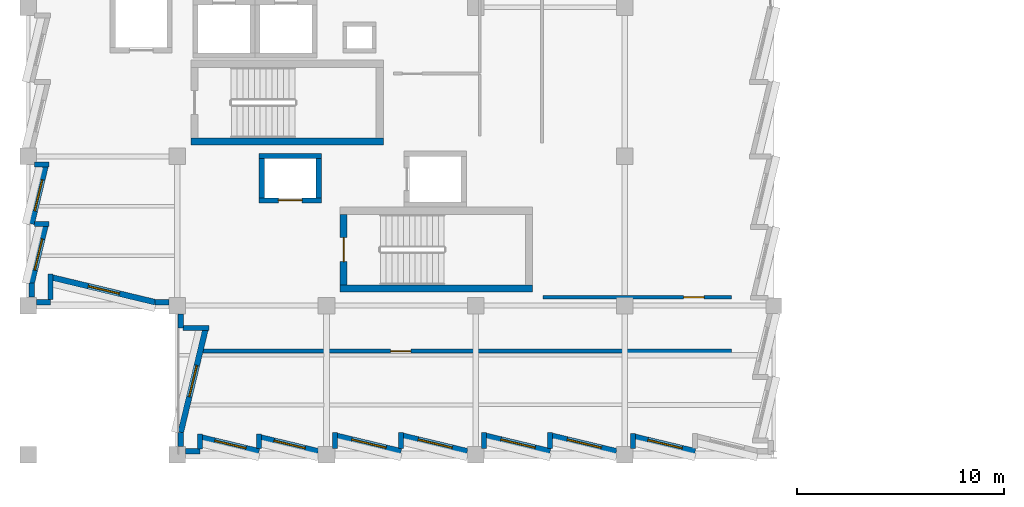
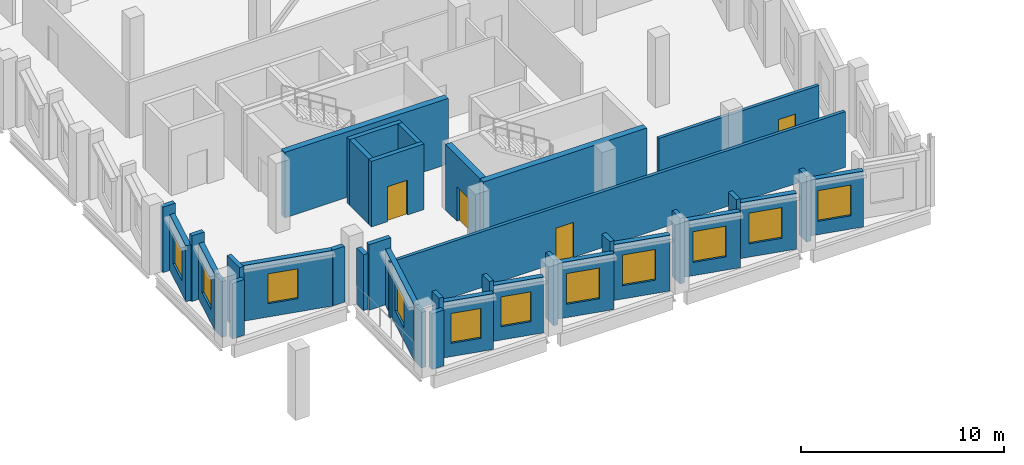
# One storey, part 66 of 94: 37 walls, 11 windows, 4 doors, 15 openings.
"""IFC4 building model written with IfcOpenShell, lengths in metres."""

from ifc_helpers import new_model, si_unit, direction, frame, frame_2d, origin, place, context, subcontext, project, spatial, rectangle, extrude, material, layer, layer_set, type_object, element, fill, save


model = new_model("IFC4")

# Units and contexts
model_context = context("Model", 3, precision=1e-05, world=origin(), true_north=direction((0.0, 1.0)))
body_context = subcontext(model_context, "Body", "Model", "MODEL_VIEW")
ifc_project = project(units=[si_unit("LENGTHUNIT", "METRE"), si_unit("AREAUNIT", "SQUARE_METRE"), si_unit("VOLUMEUNIT", "CUBIC_METRE"), si_unit("PLANEANGLEUNIT", "RADIAN"), si_unit("MASSUNIT", "GRAM", prefix="KILO")], contexts=[model_context])

# Site, building, storey
site_placement = place(None, origin())
site = spatial("IfcSite", under=ifc_project, at=site_placement, CompositionType="ELEMENT")
building_placement = place(site_placement, origin())
building = spatial("IfcBuilding", under=site, at=building_placement, Name="Kalmorath City Hall", CompositionType="ELEMENT")
storey_placement = place(building_placement, frame((0.0, 0.0, 14.699951171875)))
storey = spatial("IfcBuildingStorey", under=building, at=storey_placement, Name="L03", CompositionType="ELEMENT", Elevation=14.699951171875)

# Walls
ifc_material_1 = material(Name="Concrete C50/60", Category="concrete")
ifc_layer_1 = layer(ifc_material_1, 0.35009765625)
ifc_layer_set_1 = layer_set([ifc_layer_1], Name="Concrete C50/60")
wall_type_1 = type_object("IfcWallType", Name="Concrete core shear wall 350", PredefinedType="SHEAR", material=ifc_layer_set_1)
wall_1_placement = place(storey_placement, frame((7.85009765625, 15.125, 0.0), z_axis=(0.0, 0.0, 1.0), x_axis=(1.0, 0.0, 0.0)))
element("IfcWall", 1, at=wall_1_placement, inside=storey, type_object=wall_type_1, Name="L03 C1 stair core shear wall S", PredefinedType="SHEAR", context=body_context, shape_type="SweptSolid", body=[
    extrude(rectangle(XDim=9.2998046875, YDim=0.35009765625, at=frame_2d((4.64990234375, 0.0))), origin(), (0.0, 0.0, 1.0), 3.949951171875),
])
wall_2_placement = place(storey_placement, frame((15.050048828125, 8.02490234375, 0.0), z_axis=(0.0, 0.0, 1.0), x_axis=(1.0, 0.0, 0.0)))
element("IfcWall", 2, at=wall_2_placement, inside=storey, type_object=wall_type_1, Name="L03 C2 stair core shear wall S", PredefinedType="SHEAR", context=body_context, shape_type="SweptSolid", body=[
    extrude(rectangle(XDim=9.300048828125, YDim=0.35009765625, at=frame_2d((4.64990234375, 0.0))), origin(), (0.0, 0.0, 1.0), 3.949951171875),
])

# Wall, opening, door
wall_3_placement = place(storey_placement, frame((15.22509765625, 11.60009765625, 0.0), z_axis=(0.0, 0.0, 1.0), x_axis=(0.0, -1.0, 0.0)))
wall_3 = element("IfcWall", 3, at=wall_3_placement, inside=storey, type_object=wall_type_1, Name="L03 C2 stair core shear wall W", PredefinedType="SHEAR", context=body_context, shape_type="SweptSolid", body=[
    extrude(rectangle(XDim=3.400146484375, YDim=0.35009765625, at=frame_2d((1.7001953125, 0.0))), origin(), (0.0, 0.0, 1.0), 3.949951171875),
])
opening_1_placement = place(wall_3_placement, frame((1.125, 0.0, 0.0)))
opening_1 = element("IfcOpeningElement", 4, at=opening_1_placement, cuts=wall_3, Name="Opening D-L03-041", PredefinedType="OPENING", context=body_context, shape_type="SweptSolid", body=[
    extrude(rectangle(XDim=1.14990234375, YDim=2.10009765625, at=frame_2d((0.574951171875, 1.050048828125))), frame((0.0, 0.18505859375, 0.0), z_axis=(0.0, -1.0, 0.0), x_axis=(1.0, 0.0, 0.0)), (0.0, 0.0, 1.0), 0.3701171875),
])
ifc_material_2 = material(Name="Galvanised steel fire door", Category="steel")
door_type_1 = type_object("IfcDoorType", Name="Stair enclosure 90-min fire door 1150x2100", OperationType="NOTDEFINED", PredefinedType="DOOR", material=ifc_material_2)
door_1_placement = place(opening_1_placement, frame((1.14990234375, 0.0, 0.0), z_axis=(0.0, 0.0, 1.0), x_axis=(-1.0, 0.0, 0.0)))
door_1 = element("IfcDoor", 5, at=door_1_placement, inside=storey, type_object=door_type_1, Name="L03 door D-L03-041", OperationType="SINGLE_SWING_LEFT", OverallHeight=2.10009765625, OverallWidth=1.14990234375, PredefinedType="DOOR", context=body_context, shape_type="SweptSolid", body=[
    extrude(rectangle(XDim=1.14990234375, YDim=2.10009765625, at=frame_2d((0.574951171875, 1.050048828125))), frame((0.0, 0.02490234375, 0.0), z_axis=(0.0, -1.0, 0.0), x_axis=(1.0, 0.0, 0.0)), (0.0, 0.0, 1.0), 0.050048828125),
])
fill(opening_1, door_1)

ifc_material_3 = material(Name="Concrete C50/60", Category="concrete")
ifc_layer_2 = layer(ifc_material_3, 0.25)
ifc_layer_set_2 = layer_set([ifc_layer_2], Name="Concrete C50/60")
wall_type_2 = type_object("IfcWallType", Name="Concrete lift shaft wall 250", PredefinedType="SHEAR", material=ifc_layer_set_2)
wall_4_placement = place(storey_placement, frame((11.14990234375, 12.27490234375, 0.0), z_axis=(0.0, 0.0, 1.0), x_axis=(1.0, 0.0, 0.0)))
wall_4 = element("IfcWall", 6, at=wall_4_placement, inside=storey, type_object=wall_type_2, Name="L03 FL2 lift shaft wall -y", PredefinedType="SHEAR", context=body_context, shape_type="SweptSolid", body=[
    extrude(rectangle(XDim=3.0, YDim=0.25, at=frame_2d((1.5, 0.0))), origin(), (0.0, 0.0, 1.0), 3.949951171875),
])
opening_2_placement = place(wall_4_placement, frame((0.925048828125, 0.0, 0.0)))
opening_2 = element("IfcOpeningElement", 7, at=opening_2_placement, cuts=wall_4, Name="Opening LD-050", PredefinedType="OPENING", context=body_context, shape_type="SweptSolid", body=[
    extrude(rectangle(XDim=1.14990234375, YDim=2.10009765625, at=frame_2d((0.574951171875, 1.050048828125))), frame((0.0, 0.135009765625, 0.0), z_axis=(0.0, -1.0, 0.0), x_axis=(1.0, 0.0, 0.0)), (0.0, 0.0, 1.0), 0.27001953125),
])
ifc_material_4 = material(Name="Stainless steel sliding landing door", Category="steel")
door_type_2 = type_object("IfcDoorType", Name="Firefighting lift sliding landing door 1150x2100", OperationType="SLIDING_TO_RIGHT", PredefinedType="DOOR", material=ifc_material_4)
door_2_placement = place(opening_2_placement, origin())
door_2 = element("IfcDoor", 8, at=door_2_placement, inside=storey, type_object=door_type_2, Name="L03 door LD-050", OperationType="SLIDING_TO_RIGHT", OverallHeight=2.10009765625, OverallWidth=1.14990234375, PredefinedType="DOOR", context=body_context, shape_type="SweptSolid", body=[
    extrude(rectangle(XDim=1.14990234375, YDim=2.10009765625, at=frame_2d((0.574951171875, 1.050048828125))), frame((0.0, 0.02490234375, 0.0), z_axis=(0.0, -1.0, 0.0), x_axis=(1.0, 0.0, 0.0)), (0.0, 0.0, 1.0), 0.050048828125),
])
fill(opening_2, door_2)

# Walls
wall_5_placement = place(storey_placement, frame((14.14990234375, 14.425048828125, 0.0), z_axis=(0.0, 0.0, 1.0), x_axis=(-1.0, 0.0, 0.0)))
element("IfcWall", 9, at=wall_5_placement, inside=storey, type_object=wall_type_2, Name="L03 FL2 lift shaft wall +y", PredefinedType="SHEAR", context=body_context, shape_type="SweptSolid", body=[
    extrude(rectangle(XDim=3.0, YDim=0.25, at=frame_2d((1.5, 0.0))), origin(), (0.0, 0.0, 1.0), 3.949951171875),
])
for number, where, z_axis, x_axis, name in (
    (10, (11.27490234375, 14.300048828125, 0.0), (0.0, 0.0, 1.0), (0.0, -1.0, 0.0), "L03 FL2 lift shaft wall -x"),
    (11, (14.02490234375, 12.39990234375, 0.0), (0.0, 0.0, 1.0), (0.0, 1.0, 0.0), "L03 FL2 lift shaft wall +x"),
):
    element("IfcWall", number, at=place(storey_placement, frame(where, z_axis=z_axis, x_axis=x_axis)), inside=storey, type_object=wall_type_2, Name=name, PredefinedType="SHEAR", context=body_context, shape_type="SweptSolid", body=[
        extrude(rectangle(XDim=1.900146484375, YDim=0.25, at=frame_2d((0.9501953125, 0.0))), origin(), (0.0, 0.0, 1.0), 3.949951171875),
    ])

# Wall, opening, door
ifc_material_5 = material(Name="Fire-rated acoustic gypsum partition")
ifc_layer_3 = layer(ifc_material_5, 0.179931640625)
ifc_layer_set_3 = layer_set([ifc_layer_3], Name="Fire-rated acoustic gypsum partition")
wall_type_3 = type_object("IfcWallType", Name="One-hour corridor fire partition 180", PredefinedType="PARTITIONING", material=ifc_layer_set_3)
wall_6_placement = place(storey_placement, frame((8.0400390625, 5.0, 0.0), z_axis=(0.0, 0.0, 1.0), x_axis=(1.0, 0.0, 0.0)))
wall_6 = element("IfcWall", 12, at=wall_6_placement, inside=storey, type_object=wall_type_3, Name="L03 interior partition PW2 #137", PredefinedType="PARTITIONING", context=body_context, shape_type="SweptSolid", body=[
    extrude(rectangle(XDim=25.919921875, YDim=0.179931640625, at=frame_2d((12.9599609375, 0.0))), origin(), (0.0, 0.0, 1.0), 3.35205078125),
])
opening_3_placement = place(wall_6_placement, frame((9.45751953125, 0.0, 0.0)))
opening_3 = element("IfcOpeningElement", 13, at=opening_3_placement, cuts=wall_6, Name="Opening D-L03-219", PredefinedType="OPENING", context=body_context, shape_type="SweptSolid", body=[
    extrude(rectangle(XDim=0.97998046875, YDim=2.10009765625, at=frame_2d((0.489990234375, 1.050048828125))), frame((0.0, 0.099853515625, 0.0), z_axis=(0.0, -1.0, 0.0), x_axis=(1.0, 0.0, 0.0)), (0.0, 0.0, 1.0), 0.199951171875),
])
ifc_material_6 = material(Name="Hardwood veneer door", Category="wood")
door_type_3 = type_object("IfcDoorType", Name="Municipal suite single door 980x2100", OperationType="NOTDEFINED", PredefinedType="DOOR", material=ifc_material_6)
door_3_placement = place(opening_3_placement, origin())
door_3 = element("IfcDoor", 14, at=door_3_placement, inside=storey, type_object=door_type_3, Name="L03 door D-L03-219", OperationType="SINGLE_SWING_LEFT", OverallHeight=2.10009765625, OverallWidth=0.97998046875, PredefinedType="DOOR", context=body_context, shape_type="SweptSolid", body=[
    extrude(rectangle(XDim=0.97998046875, YDim=2.10009765625, at=frame_2d((0.489990234375, 1.050048828125))), frame((0.0, 0.02490234375, 0.0), z_axis=(0.0, -1.0, 0.0), x_axis=(1.0, 0.0, 0.0)), (0.0, 0.0, 1.0), 0.050048828125),
])
fill(opening_3, door_3)

wall_7_placement = place(storey_placement, frame((24.840087890625, 7.60009765625, 0.0), z_axis=(0.0, 0.0, 1.0), x_axis=(1.0, 0.0, 0.0)))
wall_7 = element("IfcWall", 15, at=wall_7_placement, inside=storey, type_object=wall_type_3, Name="L03 interior partition PW2 #138", PredefinedType="PARTITIONING", context=body_context, shape_type="SweptSolid", body=[
    extrude(rectangle(XDim=9.119873046875, YDim=0.179931640625, at=frame_2d((4.56005859375, 0.0))), origin(), (0.0, 0.0, 1.0), 3.35205078125),
])
opening_4_placement = place(wall_7_placement, frame((6.8076171875, 0.0, 0.0)))
opening_4 = element("IfcOpeningElement", 16, at=opening_4_placement, cuts=wall_7, Name="Opening D-L03-220", PredefinedType="OPENING", context=body_context, shape_type="SweptSolid", body=[
    extrude(rectangle(XDim=0.97998046875, YDim=2.10009765625, at=frame_2d((0.489990234375, 1.050048828125))), frame((0.0, 0.099853515625, 0.0), z_axis=(0.0, -1.0, 0.0), x_axis=(1.0, 0.0, 0.0)), (0.0, 0.0, 1.0), 0.199951171875),
])
door_4_placement = place(opening_4_placement, origin())
door_4 = element("IfcDoor", 17, at=door_4_placement, inside=storey, type_object=door_type_3, Name="L03 door D-L03-220", OperationType="SINGLE_SWING_RIGHT", OverallHeight=2.10009765625, OverallWidth=0.97998046875, PredefinedType="DOOR", context=body_context, shape_type="SweptSolid", body=[
    extrude(rectangle(XDim=0.97998046875, YDim=2.10009765625, at=frame_2d((0.489990234375, 1.050048828125))), frame((0.0, 0.02490234375, 0.0), z_axis=(0.0, -1.0, 0.0), x_axis=(1.0, 0.0, 0.0)), (0.0, 0.0, 1.0), 0.050048828125),
])
fill(opening_4, door_4)

# Walls
ifc_material_7 = material(Name="Precast concrete C40/50", Category="concrete")
ifc_layer_4 = layer(ifc_material_7, 0.239990234375)
ifc_layer_set_4 = layer_set([ifc_layer_4], Name="Precast concrete C40/50")
wall_type_4 = type_object("IfcWallType", Name="Precast sawtooth cheek wall 240", PredefinedType="SOLIDWALL", material=ifc_layer_set_4)
for number, where, z_axis, x_axis, name in (
    (18, (0.991455078125, 11.139892578125, 0.0), (0.0, 0.0, 1.0), (-1.0, 0.0, 0.0), "L03 sawtooth return cheek #533"),
    (19, (0.991455078125, 13.9990234375, 0.0), (0.0, 0.0, 1.0), (-1.0, 0.0, 0.0), "L03 sawtooth return cheek #535"),
):
    element("IfcWall", number, at=place(storey_placement, frame(where, z_axis=z_axis, x_axis=x_axis)), inside=storey, type_object=wall_type_4, Name=name, PredefinedType="SOLIDWALL", context=body_context, shape_type="SweptSolid", body=[
        extrude(rectangle(XDim=0.699462890625, YDim=0.239990234375, at=frame_2d((0.349609375, 0.0))), origin(), (0.0, 0.0, 1.0), 3.949951171875),
    ])
wall_8_placement = place(storey_placement, frame((29.200927734375, 1.024169921875, 0.0), z_axis=(0.0, 0.0, 1.0), x_axis=(0.0, -1.0, 0.0)))
element("IfcWall", 20, at=wall_8_placement, inside=storey, type_object=wall_type_4, Name="L03 sawtooth return cheek #672", PredefinedType="SOLIDWALL", context=body_context, shape_type="SweptSolid", body=[
    extrude(rectangle(XDim=0.732177734375, YDim=0.239990234375, at=frame_2d((0.3662109375, 0.0))), origin(), (0.0, 0.0, 1.0), 3.949951171875),
])
for number, where, z_axis, x_axis, name in (
    (21, (25.199951171875, 1.072998046875, 0.0), (0.0, 0.0, 1.0), (0.0, -1.0, 0.0), "L03 sawtooth return cheek #674"),
    (22, (22.0009765625, 1.072998046875, 0.0), (0.0, 0.0, 1.0), (0.0, -1.0, 0.0), "L03 sawtooth return cheek #676"),
    (23, (18.0, 1.072998046875, 0.0), (0.0, 0.0, 1.0), (0.0, -1.0, 0.0), "L03 sawtooth return cheek #678"),
    (24, (14.801025390625, 1.072998046875, 0.0), (0.0, 0.0, 1.0), (0.0, -1.0, 0.0), "L03 sawtooth return cheek #680"),
):
    element("IfcWall", number, at=place(storey_placement, frame(where, z_axis=z_axis, x_axis=x_axis)), inside=storey, type_object=wall_type_4, Name=name, PredefinedType="SOLIDWALL", context=body_context, shape_type="SweptSolid", body=[
        extrude(rectangle(XDim=0.781005859375, YDim=0.239990234375, at=frame_2d((0.390625, 0.0))), origin(), (0.0, 0.0, 1.0), 3.949951171875),
    ])
wall_9_placement = place(storey_placement, frame((11.139892578125, 0.991455078125, 0.0), z_axis=(0.0, 0.0, 1.0), x_axis=(0.0, -1.0, 0.0)))
element("IfcWall", 25, at=wall_9_placement, inside=storey, type_object=wall_type_4, Name="L03 sawtooth return cheek #683", PredefinedType="SOLIDWALL", context=body_context, shape_type="SweptSolid", body=[
    extrude(rectangle(XDim=0.699462890625, YDim=0.239990234375, at=frame_2d((0.349609375, 0.0))), origin(), (0.0, 0.0, 1.0), 3.949951171875),
])
wall_10_placement = place(storey_placement, frame((8.281005859375, 0.991455078125, 0.0), z_axis=(0.0, 0.0, 1.0), x_axis=(0.0, -1.0, 0.0)))
element("IfcWall", 26, at=wall_10_placement, inside=storey, type_object=wall_type_4, Name="L03 sawtooth return cheek #685", PredefinedType="SOLIDWALL", context=body_context, shape_type="SweptSolid", body=[
    extrude(rectangle(XDim=0.70947265625, YDim=0.239990234375, at=frame_2d((0.354736328125, 0.0))), origin(), (0.0, 0.0, 1.0), 3.949951171875),
])
for number, where, z_axis, x_axis, name in (
    (27, (8.714599609375, 6.118896484375, 0.0), (0.0, 0.0, 1.0), (-1.0, 0.0, 0.0), "L03 sawtooth return cheek #689"),
    (28, (1.0810546875, 8.714599609375, 0.0), (0.0, 0.0, 1.0), (0.0, -1.0, 0.0), "L03 sawtooth return cheek #693"),
):
    element("IfcWall", number, at=place(storey_placement, frame(where, z_axis=z_axis, x_axis=x_axis)), inside=storey, type_object=wall_type_4, Name=name, PredefinedType="SOLIDWALL", context=body_context, shape_type="SweptSolid", body=[
        extrude(rectangle(XDim=1.232666015625, YDim=0.239990234375, at=frame_2d((0.6162109375, 0.0))), origin(), (0.0, 0.0, 1.0), 3.949951171875),
    ])

# Wall, opening, window
ifc_material_8 = material(Name="Precast concrete C40/50", Category="concrete")
ifc_layer_5 = layer(ifc_material_8, 0.280029296875)
ifc_layer_set_5 = layer_set([ifc_layer_5], Name="Precast concrete C40/50")
wall_type_5 = type_object("IfcWallType", Name="Precast sawtooth facade wall 280", PredefinedType="SOLIDWALL", material=ifc_layer_set_5)
wall_11_placement = place(storey_placement, frame((0.159912109375, 8.281005859375, 0.0), z_axis=(0.0, 0.0, 1.0), x_axis=(0.233480047176, 0.972361593015, 0.0)))
wall_11 = element("IfcWall", 29, at=wall_11_placement, inside=storey, type_object=wall_type_5, Name="L03 sawtooth precast frame #532", PredefinedType="SOLIDWALL", context=body_context, shape_type="SweptSolid", body=[
    extrude(rectangle(XDim=2.84521484375, YDim=0.280029296875, at=frame_2d((1.422607421875, 0.0))), origin(), (0.0, 0.0, 1.0), 3.365966796875),
])
opening_5_placement = place(wall_11_placement, frame((0.647705078125, 0.0, 0.800048828125)))
opening_5 = element("IfcOpeningElement", 30, at=opening_5_placement, cuts=wall_11, Name="Opening WN5", PredefinedType="OPENING", context=body_context, shape_type="SweptSolid", body=[
    extrude(rectangle(XDim=1.550048828125, YDim=1.800048828125, at=frame_2d((0.77490234375, 0.89990234375))), frame((0.0, 0.14990234375, 0.0), z_axis=(0.0, -1.0, 0.0), x_axis=(1.0, 0.0, 0.0)), (0.0, 0.0, 1.0), 0.300048828125),
])
ifc_material_9 = material(Name="Aluminium and laminated glass", Category="aluminium")
window_type_1 = type_object("IfcWindowType", Name="Sawtooth corner bay window 1550x1800", PartitioningType="SINGLE_PANEL", PredefinedType="WINDOW", material=ifc_material_9)
window_1_placement = place(opening_5_placement, origin())
window_1 = element("IfcWindow", 31, at=window_1_placement, inside=storey, type_object=window_type_1, Name="L03 window WN5-277", OverallHeight=1.800048828125, OverallWidth=1.550048828125, PartitioningType="SINGLE_PANEL", PredefinedType="WINDOW", context=body_context, shape_type="SweptSolid", body=[
    extrude(rectangle(XDim=1.550048828125, YDim=1.800048828125, at=frame_2d((0.77490234375, 0.89990234375))), frame((0.0, 0.030029296875, 0.0), z_axis=(0.0, -1.0, 0.0), x_axis=(1.0, 0.0, 0.0)), (0.0, 0.0, 1.0), 0.06005859375),
])
fill(opening_5, window_1)

wall_12_placement = place(storey_placement, frame((0.159912109375, 11.139892578125, 0.0), z_axis=(0.0, 0.0, 1.0), x_axis=(0.233480047176, 0.972361593015, 0.0)))
wall_12 = element("IfcWall", 32, at=wall_12_placement, inside=storey, type_object=wall_type_5, Name="L03 sawtooth precast frame #534", PredefinedType="SOLIDWALL", context=body_context, shape_type="SweptSolid", body=[
    extrude(rectangle(XDim=2.84521484375, YDim=0.280029296875, at=frame_2d((1.422607421875, 0.0))), origin(), (0.0, 0.0, 1.0), 3.365966796875),
])
opening_6_placement = place(wall_12_placement, frame((0.647705078125, 0.0, 0.800048828125)))
opening_6 = element("IfcOpeningElement", 33, at=opening_6_placement, cuts=wall_12, Name="Opening WN5", PredefinedType="OPENING", context=body_context, shape_type="SweptSolid", body=[
    extrude(rectangle(XDim=1.550048828125, YDim=1.800048828125, at=frame_2d((0.77490234375, 0.89990234375))), frame((0.0, 0.14990234375, 0.0), z_axis=(0.0, -1.0, 0.0), x_axis=(1.0, 0.0, 0.0)), (0.0, 0.0, 1.0), 0.300048828125),
])
window_2_placement = place(opening_6_placement, origin())
window_2 = element("IfcWindow", 34, at=window_2_placement, inside=storey, type_object=window_type_1, Name="L03 window WN5-278", OverallHeight=1.800048828125, OverallWidth=1.550048828125, PartitioningType="SINGLE_PANEL", PredefinedType="WINDOW", context=body_context, shape_type="SweptSolid", body=[
    extrude(rectangle(XDim=1.550048828125, YDim=1.800048828125, at=frame_2d((0.77490234375, 0.89990234375))), frame((0.0, 0.030029296875, 0.0), z_axis=(0.0, -1.0, 0.0), x_axis=(1.0, 0.0, 0.0)), (0.0, 0.0, 1.0), 0.06005859375),
])
fill(opening_6, window_2)

wall_13_placement = place(storey_placement, frame((32.196533203125, 0.159912109375, 0.0), z_axis=(0.0, 0.0, 1.0), x_axis=(-0.972365772055, 0.233462642269, 0.0)))
wall_13 = element("IfcWall", 35, at=wall_13_placement, inside=storey, type_object=wall_type_5, Name="L03 sawtooth precast frame #671", PredefinedType="SOLIDWALL", context=body_context, shape_type="SweptSolid", body=[
    extrude(rectangle(XDim=2.985595703125, YDim=0.280029296875, at=frame_2d((1.49267578125, 0.0))), origin(), (0.0, 0.0, 1.0), 3.365966796875),
])
opening_7_placement = place(wall_13_placement, frame((0.642822265625, 0.0, 0.800048828125)))
opening_7 = element("IfcOpeningElement", 36, at=opening_7_placement, cuts=wall_13, Name="Opening WN6", PredefinedType="OPENING", context=body_context, shape_type="SweptSolid", body=[
    extrude(rectangle(XDim=1.699951171875, YDim=1.85009765625, at=frame_2d((0.85009765625, 0.925048828125))), frame((0.0, 0.14990234375, 0.0), z_axis=(0.0, -1.0, 0.0), x_axis=(1.0, 0.0, 0.0)), (0.0, 0.0, 1.0), 0.300048828125),
])
ifc_material_10 = material(Name="Aluminium and laminated glass", Category="aluminium")
window_type_2 = type_object("IfcWindowType", Name="Sawtooth west wing window 1700x1850", PartitioningType="SINGLE_PANEL", PredefinedType="WINDOW", material=ifc_material_10)
window_3_placement = place(opening_7_placement, origin())
window_3 = element("IfcWindow", 37, at=window_3_placement, inside=storey, type_object=window_type_2, Name="L03 window WN6-352", OverallHeight=1.85009765625, OverallWidth=1.699951171875, PartitioningType="SINGLE_PANEL", PredefinedType="WINDOW", context=body_context, shape_type="SweptSolid", body=[
    extrude(rectangle(XDim=1.699951171875, YDim=1.85009765625, at=frame_2d((0.85009765625, 0.925048828125))), frame((0.0, 0.030029296875, 0.0), z_axis=(0.0, -1.0, 0.0), x_axis=(1.0, 0.0, 0.0)), (0.0, 0.0, 1.0), 0.06005859375),
])
fill(opening_7, window_3)

wall_14_placement = place(storey_placement, frame((28.39892578125, 0.159912109375, 0.0), z_axis=(0.0, 0.0, 1.0), x_axis=(-0.972365793939, 0.233462551123, 0.0)))
wall_14 = element("IfcWall", 38, at=wall_14_placement, inside=storey, type_object=wall_type_5, Name="L03 sawtooth precast frame #673", PredefinedType="SOLIDWALL", context=body_context, shape_type="SweptSolid", body=[
    extrude(rectangle(XDim=3.19482421875, YDim=0.280029296875, at=frame_2d((1.597412109375, 0.0))), origin(), (0.0, 0.0, 1.0), 3.365966796875),
])
opening_8_placement = place(wall_14_placement, frame((0.747314453125, 0.0, 0.800048828125)))
opening_8 = element("IfcOpeningElement", 39, at=opening_8_placement, cuts=wall_14, Name="Opening WN6", PredefinedType="OPENING", context=body_context, shape_type="SweptSolid", body=[
    extrude(rectangle(XDim=1.699951171875, YDim=1.85009765625, at=frame_2d((0.85009765625, 0.925048828125))), frame((0.0, 0.14990234375, 0.0), z_axis=(0.0, -1.0, 0.0), x_axis=(1.0, 0.0, 0.0)), (0.0, 0.0, 1.0), 0.300048828125),
])
window_4_placement = place(opening_8_placement, origin())
window_4 = element("IfcWindow", 40, at=window_4_placement, inside=storey, type_object=window_type_2, Name="L03 window WN6-353", OverallHeight=1.85009765625, OverallWidth=1.699951171875, PartitioningType="SINGLE_PANEL", PredefinedType="WINDOW", context=body_context, shape_type="SweptSolid", body=[
    extrude(rectangle(XDim=1.699951171875, YDim=1.85009765625, at=frame_2d((0.85009765625, 0.925048828125))), frame((0.0, 0.030029296875, 0.0), z_axis=(0.0, -1.0, 0.0), x_axis=(1.0, 0.0, 0.0)), (0.0, 0.0, 1.0), 0.06005859375),
])
fill(opening_8, window_4)

wall_15_placement = place(storey_placement, frame((25.199951171875, 0.159912109375, 0.0), z_axis=(0.0, 0.0, 1.0), x_axis=(-0.972365793939, 0.233462551123, 0.0)))
wall_15 = element("IfcWall", 41, at=wall_15_placement, inside=storey, type_object=wall_type_5, Name="L03 sawtooth precast frame #675", PredefinedType="SOLIDWALL", context=body_context, shape_type="SweptSolid", body=[
    extrude(rectangle(XDim=3.19482421875, YDim=0.280029296875, at=frame_2d((1.597412109375, 0.0))), origin(), (0.0, 0.0, 1.0), 3.365966796875),
])
opening_9_placement = place(wall_15_placement, frame((0.747314453125, 0.0, 0.800048828125)))
opening_9 = element("IfcOpeningElement", 42, at=opening_9_placement, cuts=wall_15, Name="Opening WN6", PredefinedType="OPENING", context=body_context, shape_type="SweptSolid", body=[
    extrude(rectangle(XDim=1.699951171875, YDim=1.85009765625, at=frame_2d((0.85009765625, 0.925048828125))), frame((0.0, 0.14990234375, 0.0), z_axis=(0.0, -1.0, 0.0), x_axis=(1.0, 0.0, 0.0)), (0.0, 0.0, 1.0), 0.300048828125),
])
window_5_placement = place(opening_9_placement, origin())
window_5 = element("IfcWindow", 43, at=window_5_placement, inside=storey, type_object=window_type_2, Name="L03 window WN6-354", OverallHeight=1.85009765625, OverallWidth=1.699951171875, PartitioningType="SINGLE_PANEL", PredefinedType="WINDOW", context=body_context, shape_type="SweptSolid", body=[
    extrude(rectangle(XDim=1.699951171875, YDim=1.85009765625, at=frame_2d((0.85009765625, 0.925048828125))), frame((0.0, 0.030029296875, 0.0), z_axis=(0.0, -1.0, 0.0), x_axis=(1.0, 0.0, 0.0)), (0.0, 0.0, 1.0), 0.06005859375),
])
fill(opening_9, window_5)

wall_16_placement = place(storey_placement, frame((21.198974609375, 0.159912109375, 0.0), z_axis=(0.0, 0.0, 1.0), x_axis=(-0.972369958719, 0.233445204235, 0.0)))
wall_16 = element("IfcWall", 44, at=wall_16_placement, inside=storey, type_object=wall_type_5, Name="L03 sawtooth precast frame #677", PredefinedType="SOLIDWALL", context=body_context, shape_type="SweptSolid", body=[
    extrude(rectangle(XDim=3.195068359375, YDim=0.280029296875, at=frame_2d((1.59765625, 0.0))), origin(), (0.0, 0.0, 1.0), 3.365966796875),
])
opening_10_placement = place(wall_16_placement, frame((0.747314453125, 0.0, 0.800048828125)))
opening_10 = element("IfcOpeningElement", 45, at=opening_10_placement, cuts=wall_16, Name="Opening WN6", PredefinedType="OPENING", context=body_context, shape_type="SweptSolid", body=[
    extrude(rectangle(XDim=1.699951171875, YDim=1.85009765625, at=frame_2d((0.85009765625, 0.925048828125))), frame((0.0, 0.14990234375, 0.0), z_axis=(0.0, -1.0, 0.0), x_axis=(1.0, 0.0, 0.0)), (0.0, 0.0, 1.0), 0.300048828125),
])
window_6_placement = place(opening_10_placement, origin())
window_6 = element("IfcWindow", 46, at=window_6_placement, inside=storey, type_object=window_type_2, Name="L03 window WN6-355", OverallHeight=1.85009765625, OverallWidth=1.699951171875, PartitioningType="SINGLE_PANEL", PredefinedType="WINDOW", context=body_context, shape_type="SweptSolid", body=[
    extrude(rectangle(XDim=1.699951171875, YDim=1.85009765625, at=frame_2d((0.85009765625, 0.925048828125))), frame((0.0, 0.030029296875, 0.0), z_axis=(0.0, -1.0, 0.0), x_axis=(1.0, 0.0, 0.0)), (0.0, 0.0, 1.0), 0.06005859375),
])
fill(opening_10, window_6)

wall_17_placement = place(storey_placement, frame((18.0, 0.159912109375, 0.0), z_axis=(0.0, 0.0, 1.0), x_axis=(-0.972369958719, 0.233445204235, 0.0)))
wall_17 = element("IfcWall", 47, at=wall_17_placement, inside=storey, type_object=wall_type_5, Name="L03 sawtooth precast frame #679", PredefinedType="SOLIDWALL", context=body_context, shape_type="SweptSolid", body=[
    extrude(rectangle(XDim=3.195068359375, YDim=0.280029296875, at=frame_2d((1.59765625, 0.0))), origin(), (0.0, 0.0, 1.0), 3.365966796875),
])
opening_11_placement = place(wall_17_placement, frame((0.747314453125, 0.0, 0.800048828125)))
opening_11 = element("IfcOpeningElement", 48, at=opening_11_placement, cuts=wall_17, Name="Opening WN6", PredefinedType="OPENING", context=body_context, shape_type="SweptSolid", body=[
    extrude(rectangle(XDim=1.699951171875, YDim=1.85009765625, at=frame_2d((0.85009765625, 0.925048828125))), frame((0.0, 0.14990234375, 0.0), z_axis=(0.0, -1.0, 0.0), x_axis=(1.0, 0.0, 0.0)), (0.0, 0.0, 1.0), 0.300048828125),
])
window_7_placement = place(opening_11_placement, origin())
window_7 = element("IfcWindow", 49, at=window_7_placement, inside=storey, type_object=window_type_2, Name="L03 window WN6-356", OverallHeight=1.85009765625, OverallWidth=1.699951171875, PartitioningType="SINGLE_PANEL", PredefinedType="WINDOW", context=body_context, shape_type="SweptSolid", body=[
    extrude(rectangle(XDim=1.699951171875, YDim=1.85009765625, at=frame_2d((0.85009765625, 0.925048828125))), frame((0.0, 0.030029296875, 0.0), z_axis=(0.0, -1.0, 0.0), x_axis=(1.0, 0.0, 0.0)), (0.0, 0.0, 1.0), 0.06005859375),
])
fill(opening_11, window_7)

wall_18_placement = place(storey_placement, frame((13.9990234375, 0.159912109375, 0.0), z_axis=(0.0, 0.0, 1.0), x_axis=(-0.972361593015, 0.233480047176, 0.0)))
wall_18 = element("IfcWall", 50, at=wall_18_placement, inside=storey, type_object=wall_type_5, Name="L03 sawtooth precast frame #682", PredefinedType="SOLIDWALL", context=body_context, shape_type="SweptSolid", body=[
    extrude(rectangle(XDim=2.84521484375, YDim=0.280029296875, at=frame_2d((1.422607421875, 0.0))), origin(), (0.0, 0.0, 1.0), 3.365966796875),
])
opening_12_placement = place(wall_18_placement, frame((0.647705078125, 0.0, 0.800048828125)))
opening_12 = element("IfcOpeningElement", 51, at=opening_12_placement, cuts=wall_18, Name="Opening WN5", PredefinedType="OPENING", context=body_context, shape_type="SweptSolid", body=[
    extrude(rectangle(XDim=1.550048828125, YDim=1.800048828125, at=frame_2d((0.77490234375, 0.89990234375))), frame((0.0, 0.14990234375, 0.0), z_axis=(0.0, -1.0, 0.0), x_axis=(1.0, 0.0, 0.0)), (0.0, 0.0, 1.0), 0.300048828125),
])
window_8_placement = place(opening_12_placement, origin())
window_8 = element("IfcWindow", 52, at=window_8_placement, inside=storey, type_object=window_type_1, Name="L03 window WN5-357", OverallHeight=1.800048828125, OverallWidth=1.550048828125, PartitioningType="SINGLE_PANEL", PredefinedType="WINDOW", context=body_context, shape_type="SweptSolid", body=[
    extrude(rectangle(XDim=1.550048828125, YDim=1.800048828125, at=frame_2d((0.77490234375, 0.89990234375))), frame((0.0, 0.030029296875, 0.0), z_axis=(0.0, -1.0, 0.0), x_axis=(1.0, 0.0, 0.0)), (0.0, 0.0, 1.0), 0.06005859375),
])
fill(opening_12, window_8)

wall_19_placement = place(storey_placement, frame((11.139892578125, 0.159912109375, 0.0), z_axis=(0.0, 0.0, 1.0), x_axis=(-0.972361593015, 0.233480047176, 0.0)))
wall_19 = element("IfcWall", 53, at=wall_19_placement, inside=storey, type_object=wall_type_5, Name="L03 sawtooth precast frame #684", PredefinedType="SOLIDWALL", context=body_context, shape_type="SweptSolid", body=[
    extrude(rectangle(XDim=2.84521484375, YDim=0.280029296875, at=frame_2d((1.422607421875, 0.0))), origin(), (0.0, 0.0, 1.0), 3.365966796875),
])
opening_13_placement = place(wall_19_placement, frame((0.647705078125, 0.0, 0.800048828125)))
opening_13 = element("IfcOpeningElement", 54, at=opening_13_placement, cuts=wall_19, Name="Opening WN5", PredefinedType="OPENING", context=body_context, shape_type="SweptSolid", body=[
    extrude(rectangle(XDim=1.550048828125, YDim=1.800048828125, at=frame_2d((0.77490234375, 0.89990234375))), frame((0.0, 0.14990234375, 0.0), z_axis=(0.0, -1.0, 0.0), x_axis=(1.0, 0.0, 0.0)), (0.0, 0.0, 1.0), 0.300048828125),
])
window_9_placement = place(opening_13_placement, origin())
window_9 = element("IfcWindow", 55, at=window_9_placement, inside=storey, type_object=window_type_1, Name="L03 window WN5-358", OverallHeight=1.800048828125, OverallWidth=1.550048828125, PartitioningType="SINGLE_PANEL", PredefinedType="WINDOW", context=body_context, shape_type="SweptSolid", body=[
    extrude(rectangle(XDim=1.550048828125, YDim=1.800048828125, at=frame_2d((0.77490234375, 0.89990234375))), frame((0.0, 0.030029296875, 0.0), z_axis=(0.0, -1.0, 0.0), x_axis=(1.0, 0.0, 0.0)), (0.0, 0.0, 1.0), 0.06005859375),
])
fill(opening_13, window_9)

wall_20_placement = place(storey_placement, frame((7.360107421875, 1.0810546875, 0.0), z_axis=(0.0, 0.0, 1.0), x_axis=(0.233432863536, 0.972372921374, 0.0)))
wall_20 = element("IfcWall", 56, at=wall_20_placement, inside=storey, type_object=wall_type_5, Name="L03 sawtooth precast frame #688", PredefinedType="SOLIDWALL", context=body_context, shape_type="SweptSolid", body=[
    extrude(rectangle(XDim=5.086181640625, YDim=0.280029296875, at=frame_2d((2.54296875, 0.0))), origin(), (0.0, 0.0, 1.0), 3.35205078125),
])
opening_14_placement = place(wall_20_placement, frame((1.76806640625, 0.0, 0.800048828125)))
opening_14 = element("IfcOpeningElement", 57, at=opening_14_placement, cuts=wall_20, Name="Opening WN5", PredefinedType="OPENING", context=body_context, shape_type="SweptSolid", body=[
    extrude(rectangle(XDim=1.550048828125, YDim=1.800048828125, at=frame_2d((0.77490234375, 0.89990234375))), frame((0.0, 0.14990234375, 0.0), z_axis=(0.0, -1.0, 0.0), x_axis=(1.0, 0.0, 0.0)), (0.0, 0.0, 1.0), 0.300048828125),
])
window_10_placement = place(opening_14_placement, origin())
window_10 = element("IfcWindow", 58, at=window_10_placement, inside=storey, type_object=window_type_1, Name="L03 window WN5-359", OverallHeight=1.800048828125, OverallWidth=1.550048828125, PartitioningType="SINGLE_PANEL", PredefinedType="WINDOW", context=body_context, shape_type="SweptSolid", body=[
    extrude(rectangle(XDim=1.550048828125, YDim=1.800048828125, at=frame_2d((0.77490234375, 0.89990234375))), frame((0.0, 0.030029296875, 0.0), z_axis=(0.0, -1.0, 0.0), x_axis=(1.0, 0.0, 0.0)), (0.0, 0.0, 1.0), 0.06005859375),
])
fill(opening_14, window_10)

wall_21_placement = place(storey_placement, frame((6.118896484375, 7.360107421875, 0.0), z_axis=(0.0, 0.0, 1.0), x_axis=(-0.972372921374, 0.233432863536, 0.0)))
wall_21 = element("IfcWall", 59, at=wall_21_placement, inside=storey, type_object=wall_type_5, Name="L03 sawtooth precast frame #692", PredefinedType="SOLIDWALL", context=body_context, shape_type="SweptSolid", body=[
    extrude(rectangle(XDim=5.086181640625, YDim=0.280029296875, at=frame_2d((2.54296875, 0.0))), origin(), (0.0, 0.0, 1.0), 3.35205078125),
])
opening_15_placement = place(wall_21_placement, frame((1.76806640625, 0.0, 0.800048828125)))
opening_15 = element("IfcOpeningElement", 60, at=opening_15_placement, cuts=wall_21, Name="Opening WN5", PredefinedType="OPENING", context=body_context, shape_type="SweptSolid", body=[
    extrude(rectangle(XDim=1.550048828125, YDim=1.800048828125, at=frame_2d((0.77490234375, 0.89990234375))), frame((0.0, 0.14990234375, 0.0), z_axis=(0.0, -1.0, 0.0), x_axis=(1.0, 0.0, 0.0)), (0.0, 0.0, 1.0), 0.300048828125),
])
window_11_placement = place(opening_15_placement, origin())
window_11 = element("IfcWindow", 61, at=window_11_placement, inside=storey, type_object=window_type_1, Name="L03 window WN5-360", OverallHeight=1.800048828125, OverallWidth=1.550048828125, PartitioningType="SINGLE_PANEL", PredefinedType="WINDOW", context=body_context, shape_type="SweptSolid", body=[
    extrude(rectangle(XDim=1.550048828125, YDim=1.800048828125, at=frame_2d((0.77490234375, 0.89990234375))), frame((0.0, 0.030029296875, 0.0), z_axis=(0.0, -1.0, 0.0), x_axis=(1.0, 0.0, 0.0)), (0.0, 0.0, 1.0), 0.06005859375),
])
fill(opening_15, window_11)

# Walls
ifc_material_11 = material(Name="Precast concrete C40/50", Category="concrete")
ifc_layer_6 = layer(ifc_material_11, 0.260009765625)
ifc_layer_set_6 = layer_set([ifc_layer_6], Name="Precast concrete C40/50")
wall_type_6 = type_object("IfcWallType", Name="Precast sawtooth return wall 260", PredefinedType="SOLIDWALL", material=ifc_layer_set_6)
for number, where, z_axis, x_axis, name in (
    (62, (0.159912109375, 7.60107421875, 0.0), (0.0, 0.0, 1.0), (0.0, 1.0, 0.0), "L03 corner pier wall #531"),
    (63, (8.281005859375, 0.159912109375, 0.0), (0.0, 0.0, 1.0), (-1.0, 0.0, 0.0), "L03 corner pier wall #681"),
):
    element("IfcWall", number, at=place(storey_placement, frame(where, z_axis=z_axis, x_axis=x_axis)), inside=storey, type_object=wall_type_6, Name=name, PredefinedType="SOLIDWALL", context=body_context, shape_type="SweptSolid", body=[
        extrude(rectangle(XDim=0.679931640625, YDim=0.260009765625, at=frame_2d((0.33984375, 0.0))), origin(), (0.0, 0.0, 1.0), 3.365966796875),
    ])
for number, where, z_axis, x_axis, name in (
    (64, (7.360107421875, 0.40087890625, 0.0), (0.0, 0.0, 1.0), (0.0, 1.0, 0.0), "L03 corner pier wall #686"),
    (65, (7.360107421875, 6.118896484375, 0.0), (0.0, 0.0, 1.0), (0.0, 1.0, 0.0), "L03 corner pier wall #687"),
    (66, (6.799072265625, 7.360107421875, 0.0), (0.0, 0.0, 1.0), (-1.0, 0.0, 0.0), "L03 corner pier wall #690"),
    (67, (1.0810546875, 7.360107421875, 0.0), (0.0, 0.0, 1.0), (-1.0, 0.0, 0.0), "L03 corner pier wall #691"),
):
    element("IfcWall", number, at=place(storey_placement, frame(where, z_axis=z_axis, x_axis=x_axis)), inside=storey, type_object=wall_type_6, Name=name, PredefinedType="SOLIDWALL", context=body_context, shape_type="SweptSolid", body=[
        extrude(rectangle(XDim=0.68017578125, YDim=0.260009765625, at=frame_2d((0.340087890625, 0.0))), origin(), (0.0, 0.0, 1.0), 3.35205078125),
    ])

save(model, "model.ifc")
